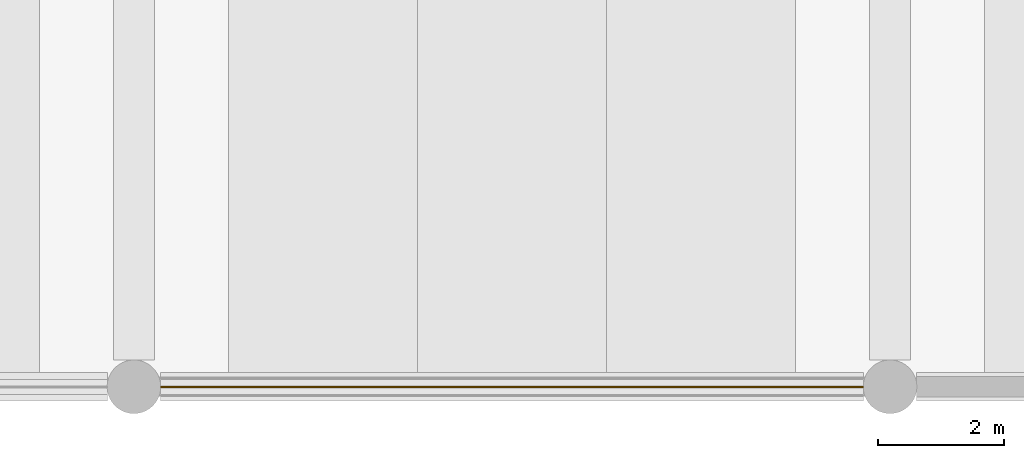
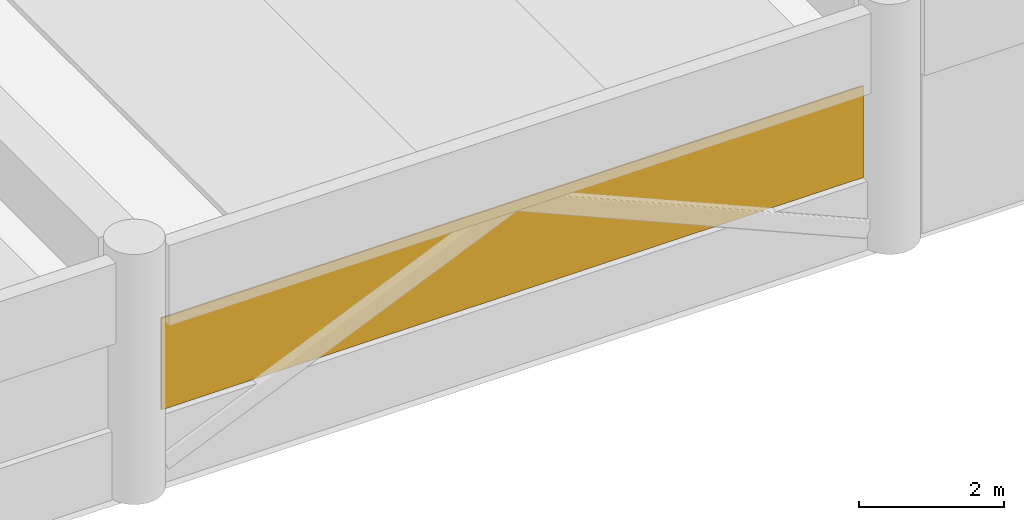
# One storey, part 50 of 50: 1 shading device.
"""IFC4 building model written with IfcOpenShell, lengths in metres."""

from ifc_helpers import new_model, si_unit, direction, frame, origin, origin_2d, place, context, subcontext, project, spatial, rectangle, extrude, material, layer, layer_set, type_object, element, save


model = new_model("IFC4")

# Units and contexts
model_context = context("Model", 3, precision=1e-05, world=origin(), true_north=direction((0.0, 1.0)))
body_context = subcontext(model_context, "Body", "Model", "MODEL_VIEW")
ifc_project = project(units=[si_unit("LENGTHUNIT", "METRE"), si_unit("AREAUNIT", "SQUARE_METRE"), si_unit("VOLUMEUNIT", "CUBIC_METRE"), si_unit("PLANEANGLEUNIT", "RADIAN"), si_unit("MASSUNIT", "GRAM", prefix="KILO")], contexts=[model_context])

# Site, building, storey
site_placement = place(None, origin())
site = spatial("IfcSite", under=ifc_project, at=site_placement, CompositionType="ELEMENT")
building_placement = place(site_placement, origin())
building = spatial("IfcBuilding", under=site, at=building_placement, Name="Girod Span Mobility Hub", CompositionType="ELEMENT")
storey_placement = place(building_placement, frame((0.0, 0.0, 5.39990234375)))
storey = spatial("IfcBuildingStorey", under=building, at=storey_placement, Name="L01", CompositionType="ELEMENT", Elevation=5.39990234375)

# Shading device
ifc_material = material(Name="Aluminium 6063-T6", Category="aluminium")
ifc_layer = layer(ifc_material, 0.02392578125)
ifc_layer_set = layer_set([ifc_layer], Name="Aluminium 6063-T6")
shading_device_type = type_object("IfcShadingDeviceType", Name="SHD-LVR-11154X1540X24", PredefinedType="USERDEFINED", material=ifc_layer_set)
shading_device_placement = place(storey_placement, frame((138.0, 0.0, 1.150146484375), z_axis=(0.0, 0.0, 1.0), x_axis=(1.0, 0.0, 0.0)))
element("IfcShadingDevice", 1, at=shading_device_placement, inside=storey, type_object=shading_device_type, Name="Ventilation Louvre Band S-12 L01", ObjectType="LOUVER", PredefinedType="USERDEFINED", context=body_context, shape_type="SweptSolid", body=[
    extrude(rectangle(XDim=11.154052734375, YDim=0.02392578125, at=origin_2d()), origin(), (0.0, 0.0, 1.0), 1.5400390625),
])

save(model, "model.ifc")
